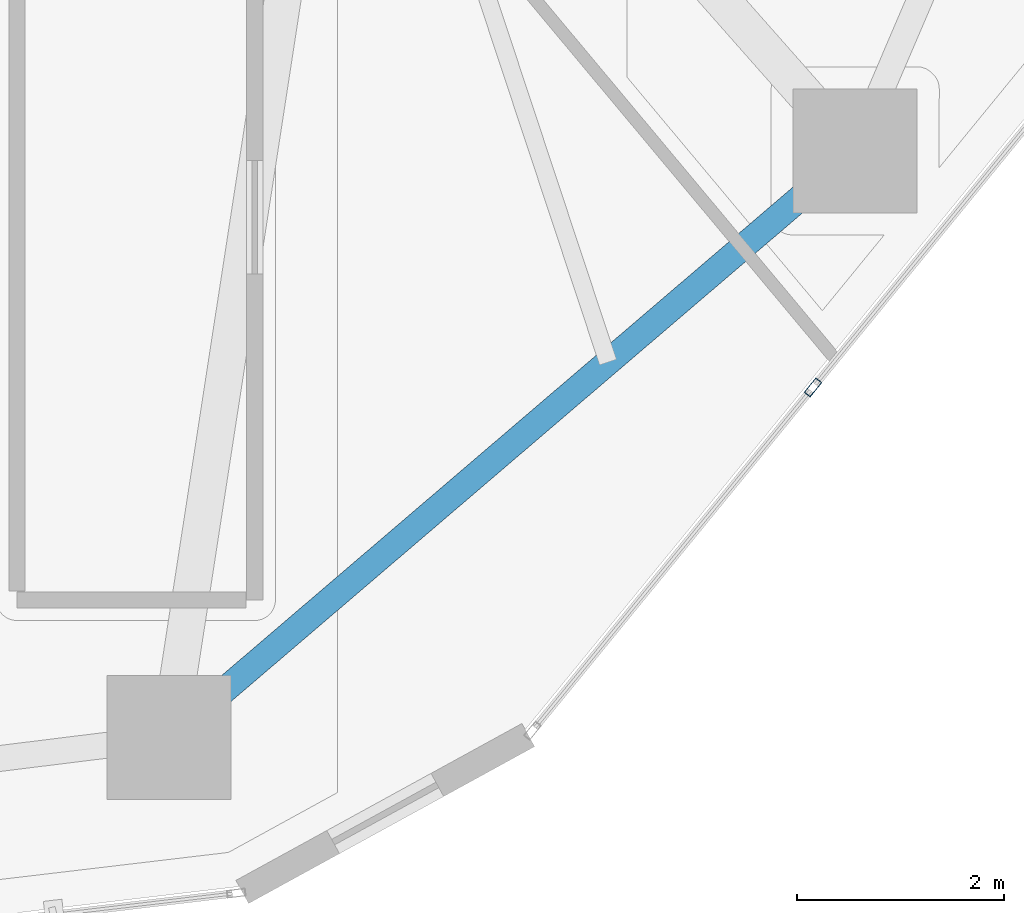
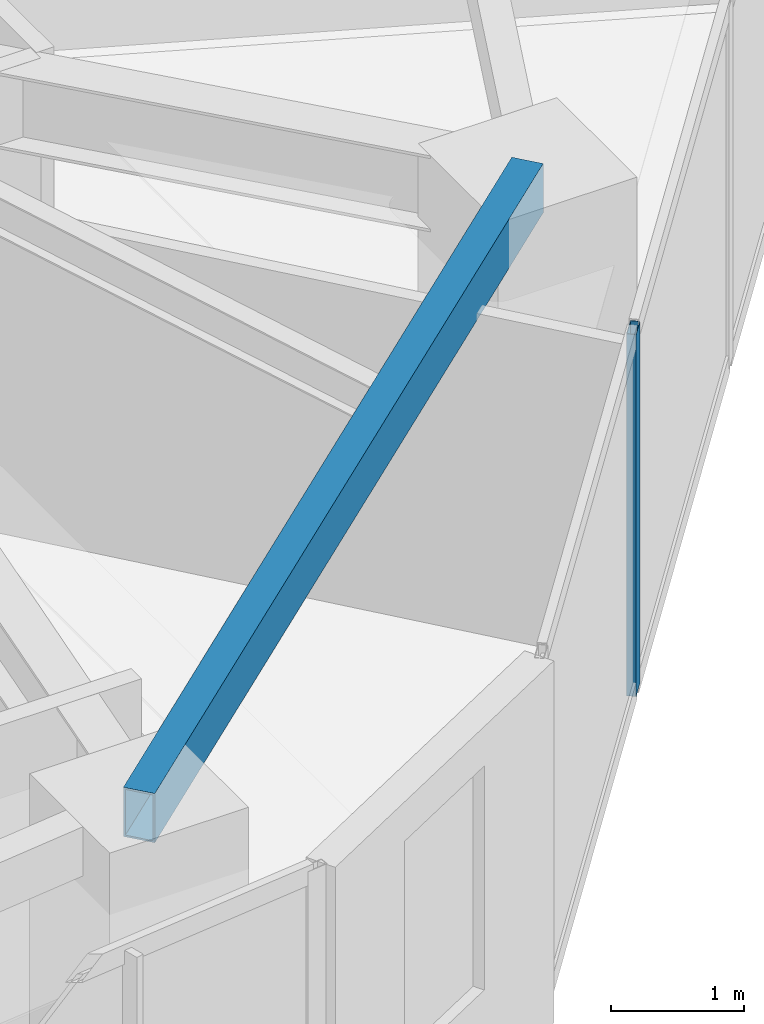
# One storey, part 7 of 24: 1 beam, 1 member, 1 element without a shape of its own.
"""IFC4 building model written with IfcOpenShell, lengths in metres."""

from ifc_helpers import new_model, si_unit, direction, frame, origin, origin_2d, place, context, subcontext, project, spatial, hollow_rectangle, extrude, source, transform, mapped, material, layer, layer_set, material_profile, profile_set, type_object, type_shapes, element, aggregate, save


model = new_model("IFC4")

# Units and contexts
model_context = context("Model", 3, precision=1e-05, world=origin(), true_north=direction((0.0, 1.0)))
body_context = subcontext(model_context, "Body", "Model", "MODEL_VIEW")
ifc_project = project(units=[si_unit("LENGTHUNIT", "METRE"), si_unit("AREAUNIT", "SQUARE_METRE"), si_unit("VOLUMEUNIT", "CUBIC_METRE"), si_unit("PLANEANGLEUNIT", "RADIAN"), si_unit("MASSUNIT", "GRAM", prefix="KILO")], contexts=[model_context])

# Site, building, storey
site_placement = place(None, origin())
site = spatial("IfcSite", under=ifc_project, at=site_placement, CompositionType="ELEMENT")
building_placement = place(site_placement, origin())
building = spatial("IfcBuilding", under=site, at=building_placement, Name="Talar Marvaseh", CompositionType="ELEMENT")
storey_placement = place(building_placement, frame((0.0, 0.0, 111.0)))
storey = spatial("IfcBuildingStorey", under=building, at=storey_placement, Name="L28", CompositionType="ELEMENT", Elevation=111.0)

# Beam
ifc_material_1 = material(Name="Steel S355", Category="steel")
ifc_material_profile_1 = material_profile(ifc_material_1, hollow_rectangle(XDim=0.25, YDim=0.449951171875, WallThickness=0.01611328125, at=origin_2d()), Name="RHS450x250x16")
ifc_profile_set_1 = profile_set([ifc_material_profile_1], Name="Steel S355")
beam_type = type_object("IfcBeamType", Name="Zone 2 Perimeter Spandrel Beam RHS450x250x16", PredefinedType="SPANDREL", material=ifc_profile_set_1)
beam_placement = place(storey_placement, frame((38.2060546875, 19.94091796875, 3.0849609375), z_axis=(-0.76011265597, -0.649791312833, 0.0), x_axis=(0.649791312833, -0.76011265597, 0.0)))
element("IfcBeam", 1, at=beam_placement, inside=storey, type_object=beam_type, Name="L28 Zone 2 Perimeter Spandrel Beam RHS450x250x16", PredefinedType="SPANDREL", context=body_context, shape_type="SweptSolid", body=[
    extrude(hollow_rectangle(XDim=0.25, YDim=0.449951171875, WallThickness=0.01611328125, at=origin_2d()), origin(), (0.0, 0.0, 1.0), 8.730224609375),
])

# Curtain wall, member
ifc_material_2 = material(Name="Architectural Aluminium", Category="aluminium")
ifc_layer = layer(ifc_material_2, 0.199951171875)
ifc_layer_set = layer_set([ifc_layer], Name="Architectural Aluminium")
curtain_wall_type = type_object("IfcCurtainWallType", Name="Unitised Acoustic Library Curtain Wall Z2", PredefinedType="NOTDEFINED", material=ifc_layer_set)
curtain_wall_placement = place(storey_placement, origin())
curtain_wall = element("IfcCurtainWall", 2, at=curtain_wall_placement, inside=storey, type_object=curtain_wall_type, Name="L28 Unitised Acoustic Library Curtain Wall Z2", PredefinedType="NOTDEFINED")
ifc_material_profile_2 = material_profile(ifc_material_2, hollow_rectangle(XDim=0.074951171875, YDim=0.179931640625, WallThickness=0.0048828125, at=origin_2d()), Name="RHS180x75x5")
ifc_profile_set_2 = profile_set([ifc_material_profile_2], Name="Architectural Aluminium")
member_type = type_object("IfcMemberType", Name="Unitised Curtain Wall Standard Mullion RHS180x75x5", PredefinedType="MULLION", material=ifc_profile_set_2)
shared_shape = source(origin(), body_context, "Body", "SweptSolid", [
    extrude(hollow_rectangle(XDim=0.074951171875, YDim=0.179931640625, WallThickness=0.0048828125, at=origin_2d()), origin(), (0.0, 0.0, 1.0), 3.31005859375),
])
type_shapes(member_type, [shared_shape])
member_placement = place(storey_placement, frame((37.79931640625, 17.654296875, 0.0), z_axis=(0.0, 0.0, 1.0), x_axis=(0.774295813589, -0.632823824661, 0.0)))
member = element("IfcMember", 3, at=member_placement, type_object=member_type, Name="CW-Z2 mullion 5", PredefinedType="MULLION", context=body_context, shape_type="MappedRepresentation", body=[
    mapped(shared_shape, transform((0.0, 0.0, 0.0), x_axis=(1.0, 0.0, 0.0), y_axis=(0.0, 1.0, 0.0), z_axis=(0.0, 0.0, 1.0), scale=1.0)),
])
aggregate(curtain_wall, [member])

save(model, "model.ifc")
